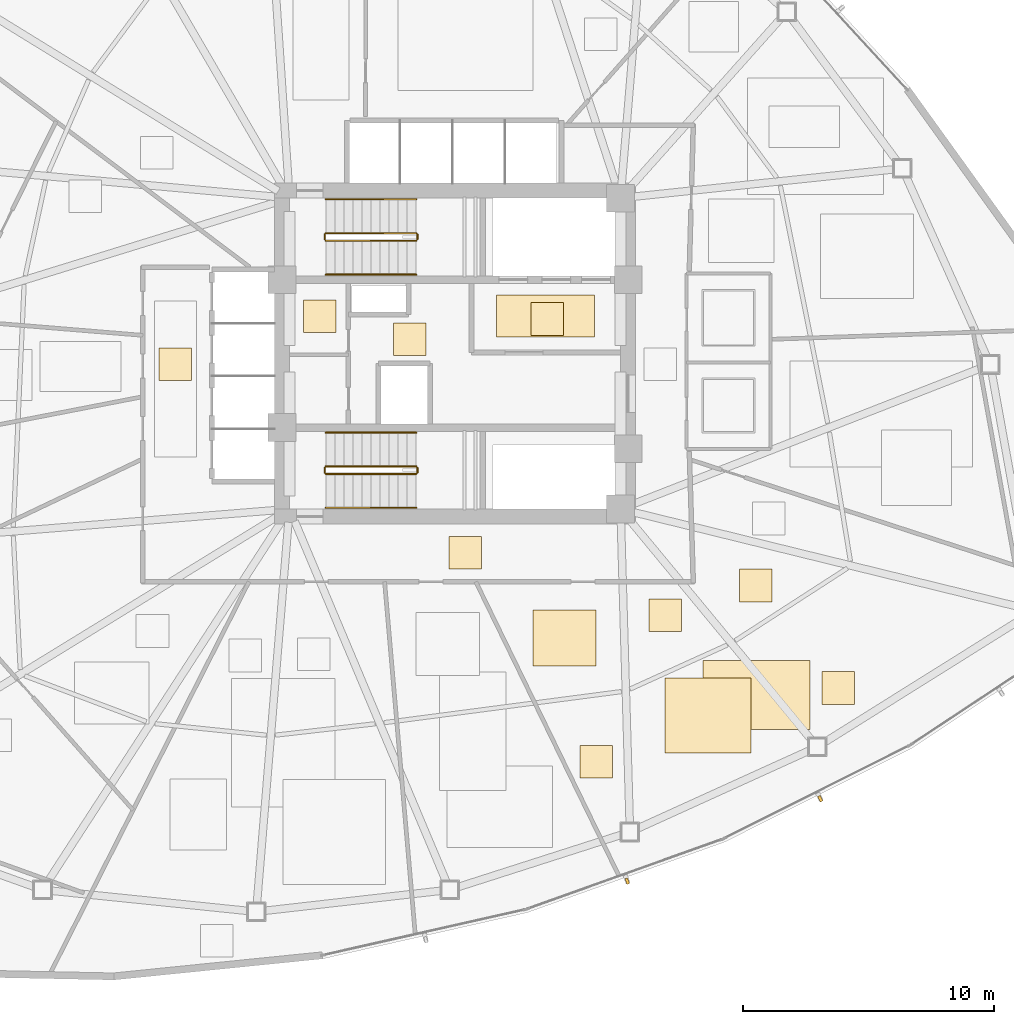
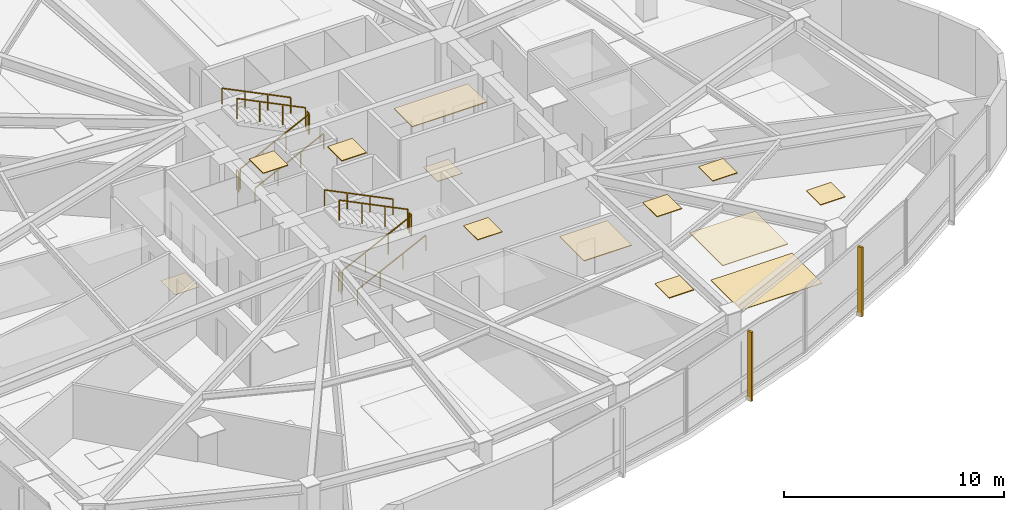
# One storey, part 15 of 17: 13 coverings, 12 railings, 2 shading devices.
"""IFC4 building model written with IfcOpenShell, lengths in metres."""

from ifc_helpers import new_model, si_unit, direction, frame, origin, origin_2d, place, context, subcontext, project, spatial, polyline, rectangle, outline, extrude, source, transform, mapped, material, layer, layer_set, type_object, type_shapes, element, save


model = new_model("IFC4")

# Units and contexts
model_context = context("Model", 3, precision=1e-05, world=origin(), true_north=direction((0.0, 1.0)))
body_context = subcontext(model_context, "Body", "Model", "MODEL_VIEW")
ifc_project = project(units=[si_unit("LENGTHUNIT", "METRE"), si_unit("AREAUNIT", "SQUARE_METRE"), si_unit("VOLUMEUNIT", "CUBIC_METRE"), si_unit("PLANEANGLEUNIT", "RADIAN"), si_unit("MASSUNIT", "GRAM", prefix="KILO")], contexts=[model_context])

# Site, building, storey
site_placement = place(None, origin())
site = spatial("IfcSite", under=ifc_project, at=site_placement, CompositionType="ELEMENT")
building_placement = place(site_placement, origin())
building = spatial("IfcBuilding", under=site, at=building_placement, Name="Tavelor Broadcast Tower", CompositionType="ELEMENT")
storey_placement = place(building_placement, frame((0.0, 0.0, 93.89990234375)))
storey = spatial("IfcBuildingStorey", under=building, at=storey_placement, Name="L22", CompositionType="ELEMENT", Elevation=93.89990234375)

# Coverings
ifc_material_1 = material(Name="Copper-Bronze Anodized Aluminium", Category="aluminium")
ifc_layer_1 = layer(ifc_material_1, 0.044921875)
ifc_layer_set_1 = layer_set([ifc_layer_1], Name="Copper-Bronze Anodized Aluminium")
covering_type_1 = type_object("IfcCoveringType", Name="Anodised Bronze Linear Slatted Concourse Ceiling 45 mm", PredefinedType="CEILING", material=ifc_layer_set_1)
covering_1_placement = place(storey_placement, frame((0.0, 0.0, 3.55517578125)))
element("IfcCovering", 1, at=covering_1_placement, inside=storey, type_object=covering_type_1, Name="L22 Suspended Acoustic Ceiling 0921", PredefinedType="CEILING", context=body_context, shape_type="SweptSolid", body=[
    extrude(outline(polyline([(51.659912109375, 45.654296875), (55.55712890625, 45.654296875), (55.55712890625, 47.331787109375), (51.659912109375, 47.331787109375), (51.659912109375, 45.654296875)])), origin(), (0.0, 0.0, 1.0), 0.044921875),
])
covering_2_placement = place(storey_placement, frame((0.0, 0.0, 3.55517578125)))
element("IfcCovering", 2, at=covering_2_placement, inside=storey, type_object=covering_type_1, Name="L22 Suspended Acoustic Ceiling 0922", PredefinedType="CEILING", context=body_context, shape_type="SweptSolid", body=[
    extrude(outline(polyline([(47.5400390625, 44.919921875), (48.840087890625, 44.919921875), (48.840087890625, 46.219970703125), (47.5400390625, 46.219970703125), (47.5400390625, 44.919921875)])), origin(), (0.0, 0.0, 1.0), 0.044921875),
])

# Railings
ifc_material_2 = material(Name="Steel S355", Category="steel")
railing_type_1 = type_object("IfcRailingType", Name="Continuous Brushed Stainless Handrail 900 mm", PredefinedType="HANDRAIL", material=ifc_material_2)
railing_1_placement = place(storey_placement, frame((44.85009765625, 48.14990234375, 0.177490234375)))
element("IfcRailing", 3, at=railing_1_placement, inside=storey, type_object=railing_type_1, Name="L22 ST1 stair handrail 1", PredefinedType="HANDRAIL", context=body_context, shape_type="SweptSolid", body=[
    extrude(rectangle(XDim=0.048095703125, YDim=0.048095703125, at=origin_2d()), frame((0.0, 0.0, 0.8759765625), z_axis=(0.897124305991, 0.0, 0.441778201817), x_axis=(0.0, 1.0, 0.0)), (0.0, 0.0, 1.0), 4.0126953125),
    extrude(rectangle(XDim=0.0419921875, YDim=0.0419921875, at=origin_2d()), origin(), (0.0, 0.0, 1.0), 0.851806640625),
    extrude(rectangle(XDim=0.0419921875, YDim=0.0419921875, at=origin_2d()), frame((1.199951171875, 0.0, 0.5908203125)), (0.0, 0.0, 1.0), 0.851806640625),
    extrude(rectangle(XDim=0.0419921875, YDim=0.0419921875, at=origin_2d()), frame((2.39990234375, 0.0, 1.181884765625)), (0.0, 0.0, 1.0), 0.851806640625),
    extrude(rectangle(XDim=0.0419921875, YDim=0.0419921875, at=origin_2d()), frame((3.599853515625, 0.0, 1.772705078125)), (0.0, 0.0, 1.0), 0.851806640625),
])
railing_2_placement = place(storey_placement, frame((48.449951171875, 51.14990234375, 2.12744140625)))
element("IfcRailing", 4, at=railing_2_placement, inside=storey, type_object=railing_type_1, Name="L22 ST1 stair handrail 2", PredefinedType="HANDRAIL", context=body_context, shape_type="SweptSolid", body=[
    extrude(rectangle(XDim=0.048095703125, YDim=0.048095703125, at=origin_2d()), frame((0.0, 0.0, 0.8759765625), z_axis=(-0.897124305991, 0.0, 0.441778201817), x_axis=(0.0, -1.0, 0.0)), (0.0, 0.0, 1.0), 4.0126953125),
    extrude(rectangle(XDim=0.0419921875, YDim=0.0419921875, at=origin_2d()), origin(), (0.0, 0.0, 1.0), 0.851806640625),
    extrude(rectangle(XDim=0.0419921875, YDim=0.0419921875, at=origin_2d()), frame((-1.199951171875, 0.0, 0.5908203125)), (0.0, 0.0, 1.0), 0.851806640625),
    extrude(rectangle(XDim=0.0419921875, YDim=0.0419921875, at=origin_2d()), frame((-2.39990234375, 0.0, 1.181884765625)), (0.0, 0.0, 1.0), 0.851806640625),
    extrude(rectangle(XDim=0.0419921875, YDim=0.0419921875, at=origin_2d()), frame((-3.599853515625, 0.0, 1.772705078125)), (0.0, 0.0, 1.0), 0.851806640625),
])
railing_3_placement = place(storey_placement, frame((44.85009765625, 38.85009765625, 0.177490234375)))
element("IfcRailing", 5, at=railing_3_placement, inside=storey, type_object=railing_type_1, Name="L22 ST2 stair handrail 1", PredefinedType="HANDRAIL", context=body_context, shape_type="SweptSolid", body=[
    extrude(rectangle(XDim=0.048095703125, YDim=0.048095703125, at=origin_2d()), frame((0.0, 0.0, 0.8759765625), z_axis=(0.897124305991, 0.0, 0.441778201817), x_axis=(0.0, 1.0, 0.0)), (0.0, 0.0, 1.0), 4.0126953125),
    extrude(rectangle(XDim=0.0419921875, YDim=0.0419921875, at=origin_2d()), origin(), (0.0, 0.0, 1.0), 0.851806640625),
    extrude(rectangle(XDim=0.0419921875, YDim=0.0419921875, at=origin_2d()), frame((1.199951171875, 0.0, 0.5908203125)), (0.0, 0.0, 1.0), 0.851806640625),
    extrude(rectangle(XDim=0.0419921875, YDim=0.0419921875, at=origin_2d()), frame((2.39990234375, 0.0, 1.181884765625)), (0.0, 0.0, 1.0), 0.851806640625),
    extrude(rectangle(XDim=0.0419921875, YDim=0.0419921875, at=origin_2d()), frame((3.599853515625, 0.0, 1.772705078125)), (0.0, 0.0, 1.0), 0.851806640625),
])
railing_4_placement = place(storey_placement, frame((48.449951171875, 41.85009765625, 2.12744140625)))
element("IfcRailing", 6, at=railing_4_placement, inside=storey, type_object=railing_type_1, Name="L22 ST2 stair handrail 2", PredefinedType="HANDRAIL", context=body_context, shape_type="SweptSolid", body=[
    extrude(rectangle(XDim=0.048095703125, YDim=0.048095703125, at=origin_2d()), frame((0.0, 0.0, 0.8759765625), z_axis=(-0.897124305991, 0.0, 0.441778201817), x_axis=(0.0, -1.0, 0.0)), (0.0, 0.0, 1.0), 4.0126953125),
    extrude(rectangle(XDim=0.0419921875, YDim=0.0419921875, at=origin_2d()), origin(), (0.0, 0.0, 1.0), 0.851806640625),
    extrude(rectangle(XDim=0.0419921875, YDim=0.0419921875, at=origin_2d()), frame((-1.199951171875, 0.0, 0.5908203125)), (0.0, 0.0, 1.0), 0.851806640625),
    extrude(rectangle(XDim=0.0419921875, YDim=0.0419921875, at=origin_2d()), frame((-2.39990234375, 0.0, 1.181884765625)), (0.0, 0.0, 1.0), 0.851806640625),
    extrude(rectangle(XDim=0.0419921875, YDim=0.0419921875, at=origin_2d()), frame((-3.599853515625, 0.0, 1.772705078125)), (0.0, 0.0, 1.0), 0.851806640625),
])

# Coverings
ifc_material_3 = material(Name="Architectural Anodized Aluminium", Category="aluminium")
ifc_layer_2 = layer(ifc_material_3, 0.034912109375)
ifc_layer_set_2 = layer_set([ifc_layer_2], Name="Architectural Anodized Aluminium")
covering_type_2 = type_object("IfcCoveringType", Name="Demountable Metal Tile Corridor Ceiling 35 mm", PredefinedType="CEILING", material=ifc_layer_set_2)
covering_3_placement = place(storey_placement, frame((0.0, 0.0, 3.565185546875)))
element("IfcCovering", 7, at=covering_3_placement, inside=storey, type_object=covering_type_2, Name="L22 Suspended Acoustic Ceiling 0925", PredefinedType="CEILING", context=body_context, shape_type="SweptSolid", body=[
    extrude(outline(polyline([(49.75244140625, 36.39990234375), (51.052490234375, 36.39990234375), (51.052490234375, 37.699951171875), (49.75244140625, 37.699951171875), (49.75244140625, 36.39990234375)])), origin(), (0.0, 0.0, 1.0), 0.034912109375),
])
ifc_material_4 = material(Name="Acoustic Nylon Carpet Tile")
ifc_layer_3 = layer(ifc_material_4, 0.02001953125)
ifc_layer_set_3 = layer_set([ifc_layer_3], Name="Acoustic Nylon Carpet Tile")
covering_type_3 = type_object("IfcCoveringType", Name="Heavy-Duty Acoustic Broadcast Carpet Tile 20 mm", PredefinedType="FLOORING", material=ifc_layer_set_3)
covering_4_placement = place(storey_placement, origin())
element("IfcCovering", 8, at=covering_4_placement, inside=storey, type_object=covering_type_3, Name="L22 Broadcast Floor Finish 0325", PredefinedType="FLOORING", context=body_context, shape_type="SweptSolid", body=[
    extrude(outline(polyline([(38.199951171875, 43.925048828125), (39.5, 43.925048828125), (39.5, 45.22509765625), (38.199951171875, 45.22509765625), (38.199951171875, 43.925048828125)])), origin(), (0.0, 0.0, 1.0), 0.02001953125),
])
covering_5_placement = place(storey_placement, origin())
element("IfcCovering", 9, at=covering_5_placement, inside=storey, type_object=covering_type_3, Name="L22 Broadcast Floor Finish 0328", PredefinedType="FLOORING", context=body_context, shape_type="SweptSolid", body=[
    extrude(outline(polyline([(59.8837890625, 30.01708984375), (64.155517578125, 30.01708984375), (64.155517578125, 32.76318359375), (59.8837890625, 32.76318359375), (59.8837890625, 30.01708984375)])), origin(), (0.0, 0.0, 1.0), 0.02001953125),
])
ifc_material_5 = material(Name="Honed Natural Limestone Tile", Category="masonry")
ifc_layer_4 = layer(ifc_material_5, 0.030029296875)
ifc_layer_set_4 = layer_set([ifc_layer_4], Name="Honed Natural Limestone Tile")
covering_type_4 = type_object("IfcCoveringType", Name="Honed Jerusalem Limestone Concourse Flooring 30 mm", PredefinedType="FLOORING", material=ifc_layer_set_4)
covering_6_placement = place(storey_placement, origin())
element("IfcCovering", 10, at=covering_6_placement, inside=storey, type_object=covering_type_4, Name="L22 Broadcast Floor Finish 0324", PredefinedType="FLOORING", context=body_context, shape_type="SweptSolid", body=[
    extrude(outline(polyline([(53.030029296875, 45.728515625), (54.330078125, 45.728515625), (54.330078125, 47.028564453125), (53.030029296875, 47.028564453125), (53.030029296875, 45.728515625)])), origin(), (0.0, 0.0, 1.0), 0.030029296875),
])

# Railings
railing_type_2 = type_object("IfcRailingType", Name="Stairwell Steel Safety Guardrail 1150 mm", PredefinedType="GUARDRAIL", material=ifc_material_2)
railing_5_placement = place(storey_placement, frame((44.85009765625, 49.5, 0.177490234375)))
element("IfcRailing", 11, at=railing_5_placement, inside=storey, type_object=railing_type_2, Name="L22 ST1 stair guard 1", PredefinedType="GUARDRAIL", context=body_context, shape_type="SweptSolid", body=[
    extrude(rectangle(XDim=0.048095703125, YDim=0.048095703125, at=origin_2d()), frame((0.0, 0.0, 1.1259765625), z_axis=(0.897124305991, 0.0, 0.441778201817), x_axis=(0.0, 1.0, 0.0)), (0.0, 0.0, 1.0), 4.0126953125),
    extrude(rectangle(XDim=0.0419921875, YDim=0.0419921875, at=origin_2d()), origin(), (0.0, 0.0, 1.0), 1.101806640625),
    extrude(rectangle(XDim=0.0419921875, YDim=0.0419921875, at=origin_2d()), frame((1.199951171875, 0.0, 0.5908203125)), (0.0, 0.0, 1.0), 1.101806640625),
    extrude(rectangle(XDim=0.0419921875, YDim=0.0419921875, at=origin_2d()), frame((2.39990234375, 0.0, 1.181884765625)), (0.0, 0.0, 1.0), 1.101806640625),
    extrude(rectangle(XDim=0.0419921875, YDim=0.0419921875, at=origin_2d()), frame((3.599853515625, 0.0, 1.772705078125)), (0.0, 0.0, 1.0), 1.101806640625),
])
railing_6_placement = place(storey_placement, frame((48.5, 49.550048828125, 1.9501953125)))
element("IfcRailing", 12, at=railing_6_placement, inside=storey, type_object=railing_type_2, Name="L22 ST1 stair guard 2", PredefinedType="GUARDRAIL", context=body_context, shape_type="SweptSolid", body=[
    extrude(rectangle(XDim=0.048095703125, YDim=0.048095703125, at=origin_2d()), frame((0.0, 0.0, 1.1259765625), z_axis=(0.0, 1.0, 0.0), x_axis=(-1.0, 0.0, 0.0)), (0.0, 0.0, 1.0), 0.199951171875),
    extrude(rectangle(XDim=0.0419921875, YDim=0.0419921875, at=origin_2d()), origin(), (0.0, 0.0, 1.0), 1.101806640625),
    extrude(rectangle(XDim=0.0419921875, YDim=0.0419921875, at=origin_2d()), frame((0.0, 0.199951171875, 0.0)), (0.0, 0.0, 1.0), 1.101806640625),
])
railing_7_placement = place(storey_placement, frame((48.449951171875, 49.800048828125, 2.12744140625)))
element("IfcRailing", 13, at=railing_7_placement, inside=storey, type_object=railing_type_2, Name="L22 ST1 stair guard 3", PredefinedType="GUARDRAIL", context=body_context, shape_type="SweptSolid", body=[
    extrude(rectangle(XDim=0.048095703125, YDim=0.048095703125, at=origin_2d()), frame((0.0, 0.0, 1.1259765625), z_axis=(-0.897124305991, 0.0, 0.441778201817), x_axis=(0.0, -1.0, 0.0)), (0.0, 0.0, 1.0), 4.0126953125),
    extrude(rectangle(XDim=0.0419921875, YDim=0.0419921875, at=origin_2d()), origin(), (0.0, 0.0, 1.0), 1.101806640625),
    extrude(rectangle(XDim=0.0419921875, YDim=0.0419921875, at=origin_2d()), frame((-1.199951171875, 0.0, 0.5908203125)), (0.0, 0.0, 1.0), 1.101806640625),
    extrude(rectangle(XDim=0.0419921875, YDim=0.0419921875, at=origin_2d()), frame((-2.39990234375, 0.0, 1.181884765625)), (0.0, 0.0, 1.0), 1.101806640625),
    extrude(rectangle(XDim=0.0419921875, YDim=0.0419921875, at=origin_2d()), frame((-3.599853515625, 0.0, 1.772705078125)), (0.0, 0.0, 1.0), 1.101806640625),
])
railing_8_placement = place(storey_placement, frame((44.800048828125, 49.550048828125, 0.0)))
element("IfcRailing", 14, at=railing_8_placement, inside=storey, type_object=railing_type_2, Name="L22 ST1 stair guard 4", PredefinedType="GUARDRAIL", context=body_context, shape_type="SweptSolid", body=[
    extrude(rectangle(XDim=0.048095703125, YDim=0.048095703125, at=origin_2d()), frame((0.0, 0.0, 1.1259765625), z_axis=(0.0, 1.0, 0.0), x_axis=(-1.0, 0.0, 0.0)), (0.0, 0.0, 1.0), 0.199951171875),
    extrude(rectangle(XDim=0.0419921875, YDim=0.0419921875, at=origin_2d()), origin(), (0.0, 0.0, 1.0), 1.101806640625),
    extrude(rectangle(XDim=0.0419921875, YDim=0.0419921875, at=origin_2d()), frame((0.0, 0.199951171875, 0.0)), (0.0, 0.0, 1.0), 1.101806640625),
])
railing_9_placement = place(storey_placement, frame((44.85009765625, 40.199951171875, 0.177490234375)))
element("IfcRailing", 15, at=railing_9_placement, inside=storey, type_object=railing_type_2, Name="L22 ST2 stair guard 1", PredefinedType="GUARDRAIL", context=body_context, shape_type="SweptSolid", body=[
    extrude(rectangle(XDim=0.048095703125, YDim=0.048095703125, at=origin_2d()), frame((0.0, 0.0, 1.1259765625), z_axis=(0.897124305991, 0.0, 0.441778201817), x_axis=(0.0, 1.0, 0.0)), (0.0, 0.0, 1.0), 4.0126953125),
    extrude(rectangle(XDim=0.0419921875, YDim=0.0419921875, at=origin_2d()), origin(), (0.0, 0.0, 1.0), 1.101806640625),
    extrude(rectangle(XDim=0.0419921875, YDim=0.0419921875, at=origin_2d()), frame((1.199951171875, 0.0, 0.5908203125)), (0.0, 0.0, 1.0), 1.101806640625),
    extrude(rectangle(XDim=0.0419921875, YDim=0.0419921875, at=origin_2d()), frame((2.39990234375, 0.0, 1.181884765625)), (0.0, 0.0, 1.0), 1.101806640625),
    extrude(rectangle(XDim=0.0419921875, YDim=0.0419921875, at=origin_2d()), frame((3.599853515625, 0.0, 1.772705078125)), (0.0, 0.0, 1.0), 1.101806640625),
])
railing_10_placement = place(storey_placement, frame((48.5, 40.25, 1.9501953125)))
element("IfcRailing", 16, at=railing_10_placement, inside=storey, type_object=railing_type_2, Name="L22 ST2 stair guard 2", PredefinedType="GUARDRAIL", context=body_context, shape_type="SweptSolid", body=[
    extrude(rectangle(XDim=0.048095703125, YDim=0.048095703125, at=origin_2d()), frame((0.0, 0.0, 1.1259765625), z_axis=(0.0, 1.0, 0.0), x_axis=(-1.0, 0.0, 0.0)), (0.0, 0.0, 1.0), 0.199951171875),
    extrude(rectangle(XDim=0.0419921875, YDim=0.0419921875, at=origin_2d()), origin(), (0.0, 0.0, 1.0), 1.101806640625),
    extrude(rectangle(XDim=0.0419921875, YDim=0.0419921875, at=origin_2d()), frame((0.0, 0.199951171875, 0.0)), (0.0, 0.0, 1.0), 1.101806640625),
])
railing_11_placement = place(storey_placement, frame((48.449951171875, 40.5, 2.12744140625)))
element("IfcRailing", 17, at=railing_11_placement, inside=storey, type_object=railing_type_2, Name="L22 ST2 stair guard 3", PredefinedType="GUARDRAIL", context=body_context, shape_type="SweptSolid", body=[
    extrude(rectangle(XDim=0.048095703125, YDim=0.048095703125, at=origin_2d()), frame((0.0, 0.0, 1.1259765625), z_axis=(-0.897124305991, 0.0, 0.441778201817), x_axis=(0.0, -1.0, 0.0)), (0.0, 0.0, 1.0), 4.0126953125),
    extrude(rectangle(XDim=0.0419921875, YDim=0.0419921875, at=origin_2d()), origin(), (0.0, 0.0, 1.0), 1.101806640625),
    extrude(rectangle(XDim=0.0419921875, YDim=0.0419921875, at=origin_2d()), frame((-1.199951171875, 0.0, 0.5908203125)), (0.0, 0.0, 1.0), 1.101806640625),
    extrude(rectangle(XDim=0.0419921875, YDim=0.0419921875, at=origin_2d()), frame((-2.39990234375, 0.0, 1.181884765625)), (0.0, 0.0, 1.0), 1.101806640625),
    extrude(rectangle(XDim=0.0419921875, YDim=0.0419921875, at=origin_2d()), frame((-3.599853515625, 0.0, 1.772705078125)), (0.0, 0.0, 1.0), 1.101806640625),
])
railing_12_placement = place(storey_placement, frame((44.800048828125, 40.25, 0.0)))
element("IfcRailing", 18, at=railing_12_placement, inside=storey, type_object=railing_type_2, Name="L22 ST2 stair guard 4", PredefinedType="GUARDRAIL", context=body_context, shape_type="SweptSolid", body=[
    extrude(rectangle(XDim=0.048095703125, YDim=0.048095703125, at=origin_2d()), frame((0.0, 0.0, 1.1259765625), z_axis=(0.0, 1.0, 0.0), x_axis=(-1.0, 0.0, 0.0)), (0.0, 0.0, 1.0), 0.199951171875),
    extrude(rectangle(XDim=0.0419921875, YDim=0.0419921875, at=origin_2d()), origin(), (0.0, 0.0, 1.0), 1.101806640625),
    extrude(rectangle(XDim=0.0419921875, YDim=0.0419921875, at=origin_2d()), frame((0.0, 0.199951171875, 0.0)), (0.0, 0.0, 1.0), 1.101806640625),
])

# Coverings
ifc_material_6 = material(Name="Acoustic Mineral Fibre Tile")
ifc_layer_5 = layer(ifc_material_6, 0.0400390625)
ifc_layer_set_5 = layer_set([ifc_layer_5], Name="Acoustic Mineral Fibre Tile")
covering_type_5 = type_object("IfcCoveringType", Name="Suspended Acoustic Mineral-Fibre Office Ceiling 40 mm", PredefinedType="CEILING", material=ifc_layer_set_5)
covering_7_placement = place(storey_placement, frame((0.0, 0.0, 3.56005859375)))
element("IfcCovering", 19, at=covering_7_placement, inside=storey, type_object=covering_type_5, Name="L22 Suspended Acoustic Ceiling 0923", PredefinedType="CEILING", context=body_context, shape_type="SweptSolid", body=[
    extrude(outline(polyline([(43.951416015625, 45.843017578125), (45.25146484375, 45.843017578125), (45.25146484375, 47.14306640625), (43.951416015625, 47.14306640625), (43.951416015625, 45.843017578125)])), origin(), (0.0, 0.0, 1.0), 0.0400390625),
])
covering_8_placement = place(storey_placement, frame((0.0, 0.0, 3.56005859375)))
element("IfcCovering", 20, at=covering_8_placement, inside=storey, type_object=covering_type_5, Name="L22 Suspended Acoustic Ceiling 0929", PredefinedType="CEILING", context=body_context, shape_type="SweptSolid", body=[
    extrude(outline(polyline([(61.335693359375, 35.1015625), (62.6357421875, 35.1015625), (62.6357421875, 36.401611328125), (61.335693359375, 36.401611328125), (61.335693359375, 35.1015625)])), origin(), (0.0, 0.0, 1.0), 0.0400390625),
])
covering_9_placement = place(storey_placement, frame((0.0, 0.0, 3.56005859375)))
element("IfcCovering", 21, at=covering_9_placement, inside=storey, type_object=covering_type_5, Name="L22 Suspended Acoustic Ceiling 0931", PredefinedType="CEILING", context=body_context, shape_type="SweptSolid", body=[
    extrude(outline(polyline([(64.63623046875, 31.01171875), (65.936279296875, 31.01171875), (65.936279296875, 32.311767578125), (64.63623046875, 32.311767578125), (64.63623046875, 31.01171875)])), origin(), (0.0, 0.0, 1.0), 0.0400390625),
])
covering_10_placement = place(storey_placement, frame((0.0, 0.0, 3.56005859375)))
element("IfcCovering", 22, at=covering_10_placement, inside=storey, type_object=covering_type_5, Name="L22 Suspended Acoustic Ceiling 0932", PredefinedType="CEILING", context=body_context, shape_type="SweptSolid", body=[
    extrude(outline(polyline([(54.985595703125, 28.068359375), (56.28564453125, 28.068359375), (56.28564453125, 29.368408203125), (54.985595703125, 29.368408203125), (54.985595703125, 28.068359375)])), origin(), (0.0, 0.0, 1.0), 0.0400390625),
])
covering_11_placement = place(storey_placement, frame((0.0, 0.0, 3.56005859375)))
element("IfcCovering", 23, at=covering_11_placement, inside=storey, type_object=covering_type_5, Name="L22 Suspended Acoustic Ceiling 0933", PredefinedType="CEILING", context=body_context, shape_type="SweptSolid", body=[
    extrude(outline(polyline([(53.109619140625, 32.5400390625), (55.614013671875, 32.5400390625), (55.614013671875, 34.77490234375), (53.109619140625, 34.77490234375), (53.109619140625, 32.5400390625)])), origin(), (0.0, 0.0, 1.0), 0.0400390625),
])
covering_12_placement = place(storey_placement, frame((0.0, 0.0, 3.56005859375)))
element("IfcCovering", 24, at=covering_12_placement, inside=storey, type_object=covering_type_5, Name="L22 Suspended Acoustic Ceiling 0934", PredefinedType="CEILING", context=body_context, shape_type="SweptSolid", body=[
    extrude(outline(polyline([(57.73095703125, 33.91650390625), (59.031005859375, 33.91650390625), (59.031005859375, 35.216552734375), (57.73095703125, 35.216552734375), (57.73095703125, 33.91650390625)])), origin(), (0.0, 0.0, 1.0), 0.0400390625),
])
covering_13_placement = place(storey_placement, frame((0.0, 0.0, 3.56005859375)))
element("IfcCovering", 25, at=covering_13_placement, inside=storey, type_object=covering_type_5, Name="L22 Suspended Acoustic Ceiling 0935", PredefinedType="CEILING", context=body_context, shape_type="SweptSolid", body=[
    extrude(outline(polyline([(58.373779296875, 29.06640625), (61.811279296875, 29.06640625), (61.811279296875, 32.069091796875), (58.373779296875, 32.069091796875), (58.373779296875, 29.06640625)])), origin(), (0.0, 0.0, 1.0), 0.0400390625),
])

# Shading devices
ifc_material_7 = material(Name="Kiln-Fired Glazed Terracotta", Category="masonry")
shading_device_type = type_object("IfcShadingDeviceType", Name="Extruded Terracotta Baguette Sun-Screen 110x240", PredefinedType="JALOUSIE", material=ifc_material_7)
shared_shape = source(origin(), body_context, "Body", "SweptSolid", [
    extrude(rectangle(XDim=0.110107421875, YDim=0.239990234375, at=origin_2d()), origin(), (0.0, 0.0, 1.0), 3.840087890625),
])
type_shapes(shading_device_type, [shared_shape])
for number, where, z_axis, x_axis, name in (
    (26, (56.869140625, 23.96142578125, -0.259765625), (0.0, 0.0, 1.0), (0.941588155895, 0.336766602676, 0.0), "L22 Terracotta Baguette Fin 222"),
    (27, (64.5634765625, 27.25146484375, -0.259765625), (0.0, 0.0, 1.0), (0.893919668171, 0.448227204503, 0.0), "L22 Terracotta Baguette Fin 223"),
):
    element("IfcShadingDevice", number, at=place(storey_placement, frame(where, z_axis=z_axis, x_axis=x_axis)), inside=storey, type_object=shading_device_type, Name=name, PredefinedType="JALOUSIE", context=body_context, shape_type="MappedRepresentation", body=[
        mapped(shared_shape, transform((0.0, 0.0, 0.0), scale=1.0)),
    ])

save(model, "model.ifc")
